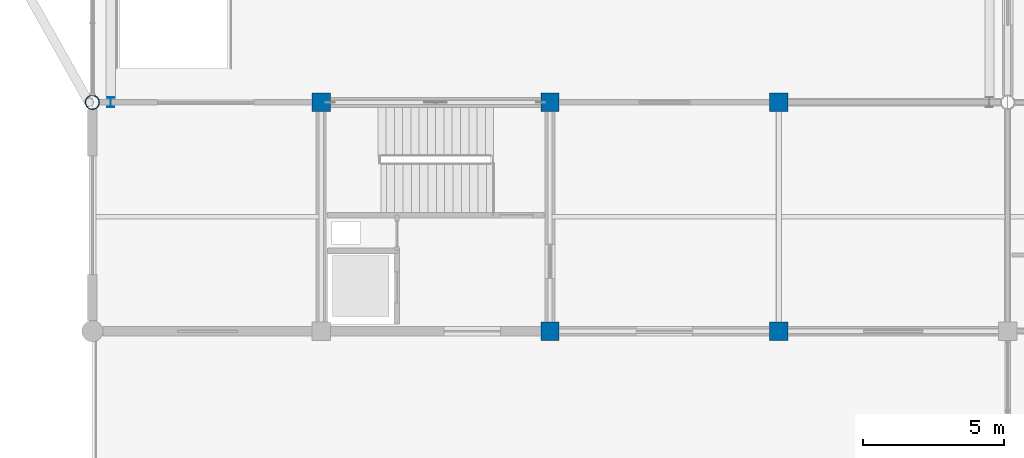
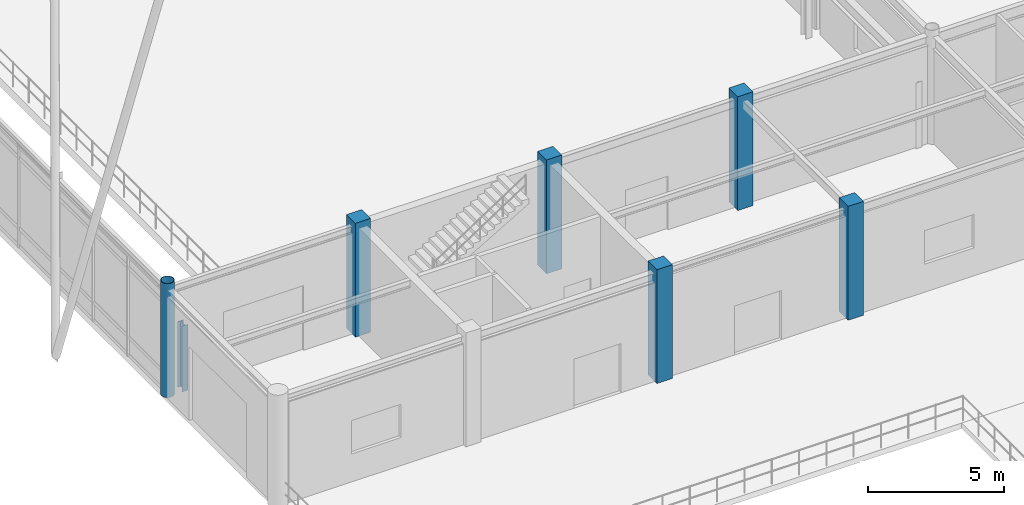
# One storey, part 2 of 99: 7 columns.
"""IFC4 building model written with IfcOpenShell, lengths in metres."""

from ifc_helpers import new_model, si_unit, direction, frame, origin, origin_2d, place, context, subcontext, project, spatial, rectangle, hollow_circle, i_section, extrude, material, material_profile, profile_set, type_object, element, save


model = new_model("IFC4")

# Units and contexts
model_context = context("Model", 3, precision=1e-05, world=origin(), true_north=direction((0.0, 1.0)))
body_context = subcontext(model_context, "Body", "Model", "MODEL_VIEW")
ifc_project = project(units=[si_unit("LENGTHUNIT", "METRE"), si_unit("AREAUNIT", "SQUARE_METRE"), si_unit("VOLUMEUNIT", "CUBIC_METRE"), si_unit("PLANEANGLEUNIT", "RADIAN"), si_unit("MASSUNIT", "GRAM", prefix="KILO")], contexts=[model_context])

# Site, building, storey
site_placement = place(None, origin())
site = spatial("IfcSite", under=ifc_project, at=site_placement, CompositionType="ELEMENT")
building_placement = place(site_placement, origin())
building = spatial("IfcBuilding", under=site, at=building_placement, Name="Vaudrelin Polytechnic", CompositionType="ELEMENT")
storey_placement = place(building_placement, origin())
storey = spatial("IfcBuildingStorey", under=building, at=storey_placement, Name="L00", CompositionType="ELEMENT", Elevation=0.0)

# Columns
ifc_material_1 = material(Name="Concrete 40 MPa", Category="concrete")
ifc_material_profile_1 = material_profile(ifc_material_1, rectangle(XDim=0.64990234375, YDim=0.64990234375, at=origin_2d()), Name="RC650x650")
ifc_profile_set_1 = profile_set([ifc_material_profile_1], Name="Concrete 40 MPa")
column_type_1 = type_object("IfcColumnType", Name="COL-C-RC650", PredefinedType="COLUMN", material=ifc_profile_set_1)
for number, where, z_axis, x_axis, name in (
    (1, (8.10009765625, 48.60009765625, 0.0), (0.0, 0.0, 1.0), (1.0, 0.0, 0.0), "Column L00 2-7"),
    (2, (16.199951171875, 40.5, 0.0), (0.0, 0.0, 1.0), (1.0, 0.0, 0.0), "Column L00 3-6"),
    (3, (16.199951171875, 48.60009765625, 0.0), (0.0, 0.0, 1.0), (1.0, 0.0, 0.0), "Column L00 3-7"),
    (4, (24.300048828125, 40.5, 0.0), (0.0, 0.0, 1.0), (1.0, 0.0, 0.0), "Column L00 4-6"),
    (5, (24.300048828125, 48.60009765625, 0.0), (0.0, 0.0, 1.0), (1.0, 0.0, 0.0), "Column L00 4-7"),
):
    element("IfcColumn", number, at=place(storey_placement, frame(where, z_axis=z_axis, x_axis=x_axis)), inside=storey, type_object=column_type_1, Name=name, PredefinedType="COLUMN", context=body_context, shape_type="SweptSolid", body=[
        extrude(rectangle(XDim=0.64990234375, YDim=0.64990234375, at=origin_2d()), origin(), (0.0, 0.0, 1.0), 5.10009765625),
    ])
ifc_material_2 = material(Name="Steel CSA G40.21 350WT", Category="steel")
ifc_material_profile_2 = material_profile(ifc_material_2, hollow_circle(Radius=0.25390625, WallThickness=0.01904296875, at=origin_2d()), Name="CHS508.0x19.1")
ifc_profile_set_2 = profile_set([ifc_material_profile_2], Name="Steel CSA G40.21 350WT")
column_type_2 = type_object("IfcColumnType", Name="COL-C-TR508", PredefinedType="COLUMN", material=ifc_profile_set_2)
column_1_placement = place(storey_placement, frame((0.0, 48.60009765625, 0.0), z_axis=(0.0, 0.0, 1.0), x_axis=(1.0, 0.0, 0.0)))
element("IfcColumn", 6, at=column_1_placement, inside=storey, type_object=column_type_2, Name="Column L00 1-7", PredefinedType="COLUMN", context=body_context, shape_type="SweptSolid", body=[
    extrude(hollow_circle(Radius=0.25390625, WallThickness=0.01904296875, at=origin_2d()), origin(), (0.0, 0.0, 1.0), 5.10009765625),
])
ifc_material_3 = material(Name="Steel CSA G40.21 350W", Category="steel")
ifc_material_profile_3 = material_profile(ifc_material_3, i_section(OverallWidth=0.25390625, OverallDepth=0.35302734375, WebThickness=0.009521484375, FlangeThickness=0.016357421875, FilletRadius=0.01611328125, at=origin_2d()), Name="W360x91")
ifc_profile_set_3 = profile_set([ifc_material_profile_3], Name="Steel CSA G40.21 350W")
column_type_3 = type_object("IfcColumnType", Name="COL-C-W360", PredefinedType="PILASTER", material=ifc_profile_set_3)
column_2_placement = place(storey_placement, frame((0.64990234375, 48.60009765625, 0.0), z_axis=(0.0, 0.0, 1.0), x_axis=(1.0, 0.0, 0.0)))
element("IfcColumn", 7, at=column_2_placement, inside=storey, type_object=column_type_3, Name="Crane runway support post WEST-6", PredefinedType="PILASTER", context=body_context, shape_type="SweptSolid", body=[
    extrude(i_section(OverallWidth=0.25390625, OverallDepth=0.35302734375, WebThickness=0.009521484375, FlangeThickness=0.016357421875, FilletRadius=0.01611328125, at=origin_2d()), origin(), (0.0, 0.0, 1.0), 2.943115234375),
])

save(model, "model.ifc")
